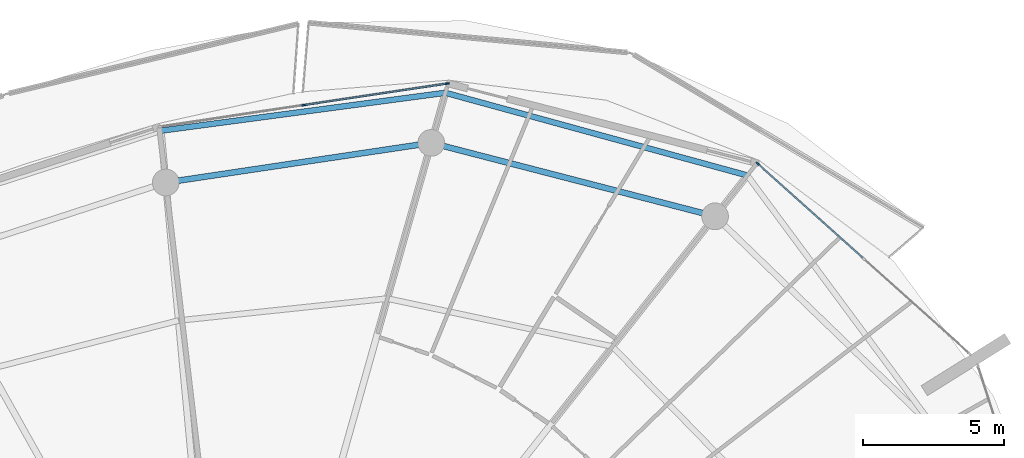
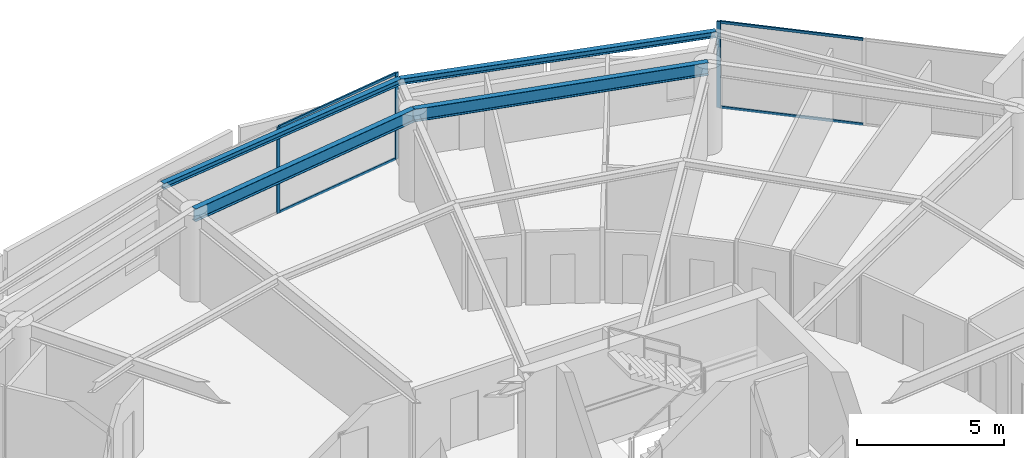
# One storey, part 16 of 30: 7 members, 4 beams, 2 elements without a shape of their own.
"""IFC4 building model written with IfcOpenShell, lengths in metres."""

from ifc_helpers import new_model, si_unit, direction, frame, origin, origin_2d, place, context, subcontext, project, spatial, rectangle, i_section, extrude, material, layer, layer_set, material_profile, profile_set, type_object, element, aggregate, save


model = new_model("IFC4")

# Units and contexts
model_context = context("Model", 3, precision=1e-05, world=origin(), true_north=direction((0.0, 1.0)))
body_context = subcontext(model_context, "Body", "Model", "MODEL_VIEW")
ifc_project = project(units=[si_unit("LENGTHUNIT", "METRE"), si_unit("AREAUNIT", "SQUARE_METRE"), si_unit("VOLUMEUNIT", "CUBIC_METRE"), si_unit("PLANEANGLEUNIT", "RADIAN"), si_unit("MASSUNIT", "GRAM", prefix="KILO")], contexts=[model_context])

# Site, building, storey
site_placement = place(None, origin())
site = spatial("IfcSite", under=ifc_project, at=site_placement, CompositionType="ELEMENT")
building_placement = place(site_placement, origin())
building = spatial("IfcBuilding", under=site, at=building_placement, Name="Kazma Halo Residences", CompositionType="ELEMENT")
storey_placement = place(building_placement, frame((0.0, 0.0, 279.050048828125)))
storey = spatial("IfcBuildingStorey", under=building, at=storey_placement, Name="L70", CompositionType="ELEMENT", Elevation=279.050048828125)

# Beams
ifc_material_1 = material(Name="Steel S355", Category="steel")
ifc_material_profile_1 = material_profile(ifc_material_1, i_section(OverallWidth=0.201904296875, OverallDepth=0.2470703125, WebThickness=0.00732421875, FlangeThickness=0.010986328125, FilletRadius=0.011962890625, at=origin_2d()), Name="W250x49.1")
ifc_profile_set_1 = profile_set([ifc_material_profile_1], Name="Steel S355")
beam_type_1 = type_object("IfcBeamType", Name="BM-BAL-CANT", PredefinedType="BEAM", material=ifc_profile_set_1)
beam_1_placement = place(storey_placement, frame((65.992431640625, 64.823486328125, 3.466552734375), z_axis=(-0.964514665976, 0.264029277006, 0.0), x_axis=(-0.264029277006, -0.964514665976, 0.0)))
element("IfcBeam", 1, at=beam_1_placement, inside=storey, type_object=beam_type_1, Name="L70 wave-balcony tie beam 02", PredefinedType="BEAM", context=body_context, shape_type="SweptSolid", body=[
    extrude(i_section(OverallWidth=0.201904296875, OverallDepth=0.2470703125, WebThickness=0.00732421875, FlangeThickness=0.010986328125, FilletRadius=0.011962890625, at=origin_2d()), origin(), (0.0, 0.0, 1.0), 11.1220703125),
])
beam_2_placement = place(storey_placement, frame((55.26513671875, 67.760009765625, 3.466552734375), z_axis=(-0.991234590706, -0.132113535217, 0.0), x_axis=(0.132113535217, -0.991234590706, 0.0)))
element("IfcBeam", 2, at=beam_2_placement, inside=storey, type_object=beam_type_1, Name="L70 wave-balcony tie beam 03", PredefinedType="BEAM", context=body_context, shape_type="SweptSolid", body=[
    extrude(i_section(OverallWidth=0.201904296875, OverallDepth=0.2470703125, WebThickness=0.00732421875, FlangeThickness=0.010986328125, FilletRadius=0.011962890625, at=origin_2d()), origin(), (0.0, 0.0, 1.0), 10.197021484375),
])
ifc_material_profile_2 = material_profile(ifc_material_1, i_section(OverallWidth=0.208984375, OverallDepth=0.532958984375, WebThickness=0.01025390625, FlangeThickness=0.015625, FilletRadius=0.01611328125, at=origin_2d()), Name="W530x92")
ifc_profile_set_2 = profile_set([ifc_material_profile_2], Name="Steel S355")
beam_type_2 = type_object("IfcBeamType", Name="BM-SPN-W530", PredefinedType="BEAM", material=ifc_profile_set_2)
beam_3_placement = place(storey_placement, frame((64.84716796875, 63.37060546875, 3.323486328125), z_axis=(-0.968126042852, 0.250463500639, 0.0), x_axis=(-0.250463500639, -0.968126042852, 0.0)))
element("IfcBeam", 3, at=beam_3_placement, inside=storey, type_object=beam_type_2, Name="L70 perimeter ring beam 02", PredefinedType="BEAM", context=body_context, shape_type="SweptSolid", body=[
    extrude(i_section(OverallWidth=0.208984375, OverallDepth=0.532958984375, WebThickness=0.01025390625, FlangeThickness=0.015625, FilletRadius=0.01611328125, at=origin_2d()), origin(), (0.0, 0.0, 1.0), 10.416259765625),
])
beam_4_placement = place(storey_placement, frame((54.762939453125, 65.9794921875, 3.323486328125), z_axis=(-0.989035441627, -0.147678350495, 0.0), x_axis=(0.147678350495, -0.989035441627, 0.0)))
element("IfcBeam", 4, at=beam_4_placement, inside=storey, type_object=beam_type_2, Name="L70 perimeter ring beam 03", PredefinedType="BEAM", context=body_context, shape_type="SweptSolid", body=[
    extrude(i_section(OverallWidth=0.208984375, OverallDepth=0.532958984375, WebThickness=0.01025390625, FlangeThickness=0.015625, FilletRadius=0.01611328125, at=origin_2d()), origin(), (0.0, 0.0, 1.0), 9.538818359375),
])

# Curtain wall, member
ifc_material_2 = material(Name="Aluminium AW-6063 T6 and Triple-Silver Low-E Glass", Category="aluminium")
ifc_layer = layer(ifc_material_2, 0.139892578125)
ifc_layer_set = layer_set([ifc_layer], Name="Aluminium AW-6063 T6 and Triple-Silver Low-E Glass")
curtain_wall_type = type_object("IfcCurtainWallType", Name="CW-SYS-5", PredefinedType="NOTDEFINED", material=ifc_layer_set)
curtain_wall_1_placement = place(storey_placement, origin())
curtain_wall_1 = element("IfcCurtainWall", 5, at=curtain_wall_1_placement, inside=storey, type_object=curtain_wall_type, Name="L70 unitised curtain wall B01", PredefinedType="NOTDEFINED")
ifc_material_3 = material(Name="Aluminium AW-6063 T6", Category="aluminium")
ifc_material_profile_3 = material_profile(ifc_material_3, rectangle(XDim=0.06005859375, YDim=0.139892578125, at=origin_2d()), Name="CWM-60x140")
ifc_profile_set_3 = profile_set([ifc_material_profile_3], Name="Aluminium AW-6063 T6")
member_type_1 = type_object("IfcMemberType", Name="CW-SYS-5-MUL", PredefinedType="MULLION", material=ifc_profile_set_3)
member_1_placement = place(storey_placement, frame((66.3603515625, 65.241455078125, 0.0), z_axis=(0.0, 0.0, 1.0), x_axis=(-0.667804826958, -0.744336424671, 0.0)))
member_1 = element("IfcMember", 6, at=member_1_placement, type_object=member_type_1, Name="CWS-5 mullion 3", PredefinedType="MULLION", context=body_context, shape_type="SweptSolid", body=[
    extrude(rectangle(XDim=0.06005859375, YDim=0.139892578125, at=origin_2d()), origin(), (0.0, 0.0, 1.0), 3.58984375),
])

# Curtain wall, members
curtain_wall_2_placement = place(storey_placement, origin())
curtain_wall_2 = element("IfcCurtainWall", 7, at=curtain_wall_2_placement, inside=storey, type_object=curtain_wall_type, Name="L70 unitised curtain wall B03", PredefinedType="NOTDEFINED")
member_2_placement = place(storey_placement, frame((55.328857421875, 68.087158203125, 0.0), z_axis=(0.0, 0.0, 1.0), x_axis=(0.148697080374, -0.988882792998, 0.0)))
member_2 = element("IfcMember", 8, at=member_2_placement, type_object=member_type_1, Name="CWS-5 mullion 1", PredefinedType="MULLION", context=body_context, shape_type="SweptSolid", body=[
    extrude(rectangle(XDim=0.06005859375, YDim=0.139892578125, at=origin_2d()), origin(), (0.0, 0.0, 1.0), 3.58984375),
])
member_3_placement = place(storey_placement, frame((50.2265625, 67.320068359375, 0.0), z_axis=(0.0, 0.0, 1.0), x_axis=(0.148697080374, -0.988882792998, 0.0)))
member_3 = element("IfcMember", 9, at=member_3_placement, type_object=member_type_1, Name="CWS-5 mullion 2", PredefinedType="MULLION", context=body_context, shape_type="SweptSolid", body=[
    extrude(rectangle(XDim=0.06005859375, YDim=0.139892578125, at=origin_2d()), origin(), (0.0, 0.0, 1.0), 3.58984375),
])

# Member
ifc_material_profile_4 = material_profile(ifc_material_3, rectangle(XDim=0.06005859375, YDim=0.10498046875, at=origin_2d()), Name="CWT-60x105")
ifc_profile_set_4 = profile_set([ifc_material_profile_4], Name="Aluminium AW-6063 T6")
member_type_2 = type_object("IfcMemberType", Name="CW-SYS-5-TRN", PredefinedType="USERDEFINED", material=ifc_profile_set_4)
member_4_placement = place(storey_placement, frame((70.099609375, 61.88671875, 0.030029296875), z_axis=(-0.744350700793, 0.667788914425, 0.0), x_axis=(-0.667788914425, -0.744350700793, 0.0)))
member_4 = element("IfcMember", 10, at=member_4_placement, type_object=member_type_2, Name="CWS-5 transom 2.1", ObjectType="TRANSOM", PredefinedType="USERDEFINED", context=body_context, shape_type="SweptSolid", body=[
    extrude(rectangle(XDim=0.06005859375, YDim=0.10498046875, at=origin_2d()), origin(), (0.0, 0.0, 1.0), 4.99365234375),
])

member_5_placement = place(storey_placement, frame((70.099609375, 61.88671875, 3.56005859375), z_axis=(-0.744350700793, 0.667788914425, 0.0), x_axis=(-0.667788914425, -0.744350700793, 0.0)))
member_5 = element("IfcMember", 11, at=member_5_placement, type_object=member_type_2, Name="CWS-5 transom 2.2", ObjectType="TRANSOM", PredefinedType="USERDEFINED", context=body_context, shape_type="SweptSolid", body=[
    extrude(rectangle(XDim=0.06005859375, YDim=0.10498046875, at=origin_2d()), origin(), (0.0, 0.0, 1.0), 4.99365234375),
])

aggregate(curtain_wall_1, [member_1, member_4, member_5])

member_6_placement = place(storey_placement, frame((55.29931640625, 68.082763671875, 0.030029296875), z_axis=(-0.988883972013, -0.148689239341, 0.0), x_axis=(0.148689239341, -0.988883972013, 0.0)))
member_6 = element("IfcMember", 12, at=member_6_placement, type_object=member_type_2, Name="CWS-5 transom 1.1", ObjectType="TRANSOM", PredefinedType="USERDEFINED", context=body_context, shape_type="SweptSolid", body=[
    extrude(rectangle(XDim=0.06005859375, YDim=0.10498046875, at=origin_2d()), origin(), (0.0, 0.0, 1.0), 5.099853515625),
])

member_7_placement = place(storey_placement, frame((55.29931640625, 68.082763671875, 3.56005859375), z_axis=(-0.988883972013, -0.148689239341, 0.0), x_axis=(0.148689239341, -0.988883972013, 0.0)))
member_7 = element("IfcMember", 13, at=member_7_placement, type_object=member_type_2, Name="CWS-5 transom 1.2", ObjectType="TRANSOM", PredefinedType="USERDEFINED", context=body_context, shape_type="SweptSolid", body=[
    extrude(rectangle(XDim=0.06005859375, YDim=0.10498046875, at=origin_2d()), origin(), (0.0, 0.0, 1.0), 5.099853515625),
])

aggregate(curtain_wall_2, [member_2, member_3, member_6, member_7])

save(model, "model.ifc")
